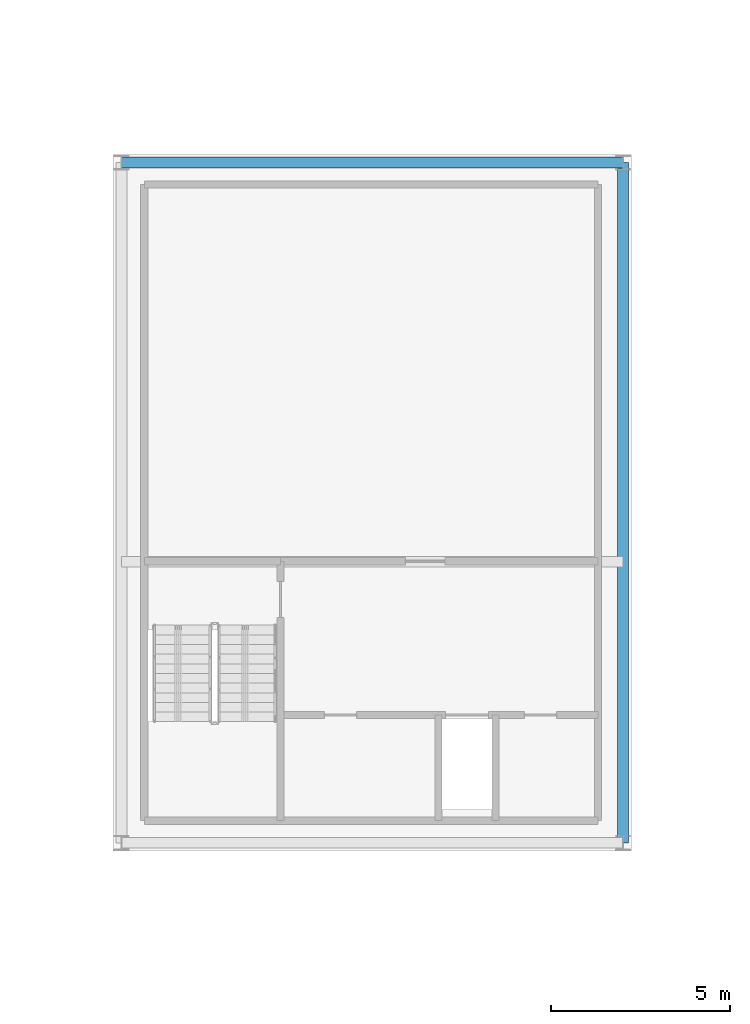
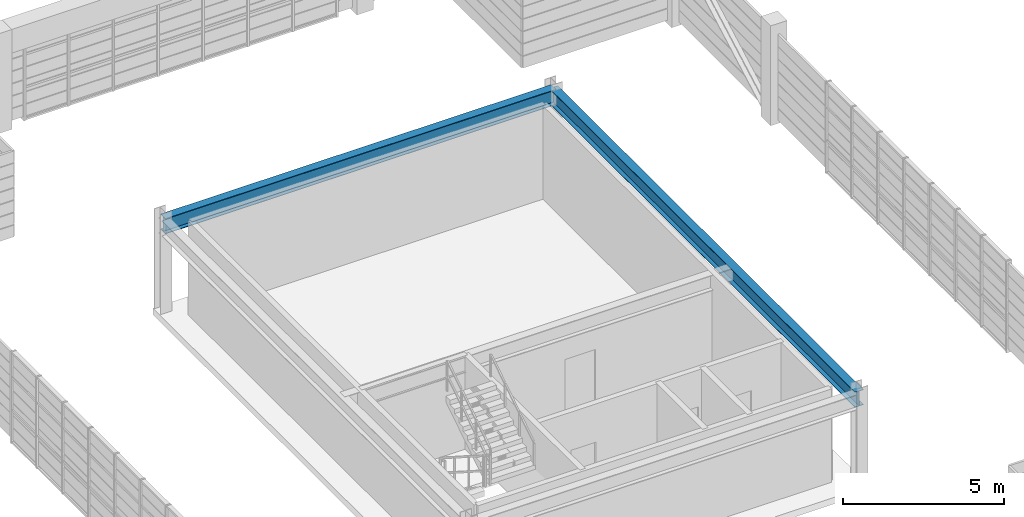
# One storey, part 10 of 21: 2 beams.
"""IFC4 building model written with IfcOpenShell, lengths in metres."""

import ifcopenshell
import ifcopenshell.guid

model = None  # the IFC model being written
_history = None  # IfcOwnerHistory: only IFC2X3 demands one
_inside = {}  # id of a spatial element -> (the spatial element, [elements in it])
_under = {}  # id of a project, library or spatial element -> (it, [spatial elements below it])
_declared = {}  # id of a project -> (the project, [libraries it declares])
_typed = {}  # id of a type object -> (the type object, [elements of that type])
_made_of = {}  # id of a material, layer set ... -> (it, [elements and type objects made of it])


def new_model(schema):
    """Start an empty IFC model of exactly this schema.

    Asked for "IFC4X3", IfcOpenShell would pick the latest addendum, in which some entities
    have other attributes; the version numbers below select the first issue.
    IFC2X3 requires an IfcOwnerHistory on every rooted entity: one is made here for all.
    """
    global model, _history
    if schema == "IFC4X3":
        model = ifcopenshell.file(schema_version=(4, 3, 0, 0))
    else:
        model = ifcopenshell.file(schema=schema)
    _inside.clear()
    _under.clear()
    _declared.clear()
    _typed.clear()
    _made_of.clear()
    _history = None
    if model.schema == "IFC2X3":
        org = make("IfcOrganization", Name="unknown")
        user = make(
            "IfcPersonAndOrganization",
            ThePerson=make("IfcPerson", FamilyName="unknown"),
            TheOrganization=org,
        )
        app = make(
            "IfcApplication",
            ApplicationDeveloper=org,
            Version="unknown",
            ApplicationFullName="unknown",
            ApplicationIdentifier="unknown",
        )
        _history = make(
            "IfcOwnerHistory",
            OwningUser=user,
            OwningApplication=app,
            ChangeAction="ADDED",
            CreationDate=0,
        )
    return model


def make(cls, **values):
    """One entity of the class cls with the attributes given. An attribute that is None is left unset."""
    return model.create_entity(
        cls, **{name: value for name, value in values.items() if value is not None}
    )


def rooted(cls, **values):
    """An entity with a GlobalId (a new one), such as an element, a storey or a relation."""
    return make(cls, GlobalId=ifcopenshell.guid.new(), OwnerHistory=_history, **values)


def si_unit(unit_type, name, prefix=None):
    """IfcSIUnit, for example si_unit("LENGTHUNIT", "METRE", prefix="MILLI")."""
    return make("IfcSIUnit", UnitType=unit_type, Prefix=prefix, Name=name)


def assignment(units):
    """IfcUnitAssignment: the units of a project."""
    return None if units is None else make("IfcUnitAssignment", Units=units)


def point(xyz):
    """IfcCartesianPoint."""
    return None if xyz is None else make("IfcCartesianPoint", Coordinates=xyz)


def direction(xyz):
    """IfcDirection."""
    return None if xyz is None else make("IfcDirection", DirectionRatios=xyz)


def frame(location, z_axis=None, x_axis=None):
    """IfcAxis2Placement3D, a coordinate frame: its origin and axes. An axis left out is left unset."""
    return make(
        "IfcAxis2Placement3D",
        Location=point(location),
        Axis=direction(z_axis),
        RefDirection=direction(x_axis),
    )


def frame_2d(location, x_axis=None):
    """IfcAxis2Placement2D, a coordinate frame in the plane: its origin and x axis."""
    return make(
        "IfcAxis2Placement2D", Location=point(location), RefDirection=direction(x_axis)
    )


def origin():
    """The frame at (0, 0, 0) with its axes left unset."""
    return frame((0.0, 0.0, 0.0))


def origin_2d():
    """The frame at (0, 0) in the plane with its x axis left unset."""
    return frame_2d((0.0, 0.0))


def place(relative_to, where):
    """IfcLocalPlacement: puts the frame where relative to a parent placement (None: the world)."""
    return make(
        "IfcLocalPlacement", PlacementRelTo=relative_to, RelativePlacement=where
    )


def context(
    kind, dimensions, precision=None, world=None, true_north=None, identifier=None
):
    """IfcGeometricRepresentationContext, for example the 3D "Model" context."""
    return make(
        "IfcGeometricRepresentationContext",
        ContextIdentifier=identifier,
        ContextType=kind,
        CoordinateSpaceDimension=dimensions,
        Precision=precision,
        WorldCoordinateSystem=world,
        TrueNorth=true_north,
    )


def subcontext(parent, identifier, kind, view, scale=None):
    """IfcGeometricRepresentationSubContext, for example "Body" below "Model"."""
    return make(
        "IfcGeometricRepresentationSubContext",
        ContextIdentifier=identifier,
        ContextType=kind,
        ParentContext=parent,
        TargetScale=scale,
        TargetView=view,
    )


def project(units=None, contexts=None):
    """IfcProject with its units and contexts."""
    return rooted(
        "IfcProject",
        Name="project",
        RepresentationContexts=contexts,
        UnitsInContext=assignment(units),
    )


def spatial(cls, under=None, at=None, **own):
    """A site, building, storey or space (cls), placed at a placement, below another one or the project."""
    s = rooted(cls, ObjectPlacement=at, **own)
    if under is not None:
        _under.setdefault(under.id(), (under, []))[1].append(s)
    return s


def profile(cls, at=None, kind="AREA", **sizes):
    """A parametric profile (cls). Its sizes go by their IFC names, for example OverallWidth=200.0."""
    return make(cls, ProfileType=kind, Position=at, **sizes)


def i_section(**sizes):
    """IfcIShapeProfileDef."""
    return profile("IfcIShapeProfileDef", **sizes)


def extrude(swept, where, along, depth):
    """IfcExtrudedAreaSolid: the profile swept, set in the frame where, extruded along a direction by depth."""
    return make(
        "IfcExtrudedAreaSolid",
        SweptArea=swept,
        Position=where,
        ExtrudedDirection=direction(along),
        Depth=depth,
    )


def shape(context_of_items, identifier, shape_type, items):
    """IfcShapeRepresentation: the items that make up one representation, for example the "Body"."""
    return make(
        "IfcShapeRepresentation",
        ContextOfItems=context_of_items,
        RepresentationIdentifier=identifier,
        RepresentationType=shape_type,
        Items=items,
    )


def source(mapping_origin, context_of_items, identifier, shape_type, items):
    """IfcRepresentationMap: a shape defined once, which mapped items show again and again."""
    return make(
        "IfcRepresentationMap",
        MappingOrigin=mapping_origin,
        MappedRepresentation=shape(context_of_items, identifier, shape_type, items),
    )


def transform(
    local_origin,
    x_axis=None,
    y_axis=None,
    z_axis=None,
    scale=None,
    scale2=None,
    scale3=None,
    uniform=True,
):
    """IfcCartesianTransformationOperator3D, or its non-uniform kind. x_axis, y_axis, z_axis: its Axis1, 2, 3."""
    if uniform:
        return make(
            "IfcCartesianTransformationOperator3D",
            Axis1=direction(x_axis),
            Axis2=direction(y_axis),
            LocalOrigin=point(local_origin),
            Scale=scale,
            Axis3=direction(z_axis),
        )
    return make(
        "IfcCartesianTransformationOperator3DnonUniform",
        Axis1=direction(x_axis),
        Axis2=direction(y_axis),
        LocalOrigin=point(local_origin),
        Scale=scale,
        Axis3=direction(z_axis),
        Scale2=scale2,
        Scale3=scale3,
    )


def mapped(mapping_source, mapping_target):
    """IfcMappedItem: shows the shape of a source again, moved by a transform."""
    return make(
        "IfcMappedItem", MappingSource=mapping_source, MappingTarget=mapping_target
    )


def material(Name=None, Category=None):
    """IfcMaterial."""
    return make("IfcMaterial", Name=Name, Category=Category)


def material_profile(
    of_material, cross_section, Name=None, Category=None, Priority=None
):
    """IfcMaterialProfile: a cross section and its material."""
    return make(
        "IfcMaterialProfile",
        Name=Name,
        Material=of_material,
        Profile=cross_section,
        Priority=Priority,
        Category=Category,
    )


def profile_set(profiles, Name=None, composite=None):
    """IfcMaterialProfileSet."""
    return make(
        "IfcMaterialProfileSet",
        Name=Name,
        MaterialProfiles=profiles,
        CompositeProfile=composite,
    )


def made_of(thing, what):
    """Note that an element or type object is made of a material, layer set ...; save() writes the relation."""
    if what is not None:
        _made_of.setdefault(what.id(), (what, []))[1].append(thing)
    return thing


def type_object(cls, material=None, **own):
    """A type object (cls), such as IfcWallType, which elements share."""
    return made_of(rooted(cls, **own), material)


def element(
    cls,
    number,
    at=None,
    inside=None,
    cuts=None,
    type_object=None,
    material=None,
    context=None,
    identifier="Body",
    shape_type=None,
    held_by="IfcProductDefinitionShape",
    body=None,
    shapes=None,
    **own,
):
    """One element of the class cls, such as IfcWall. Its Tag is "e" and its number.

    at: its placement. inside: the storey or other place that contains it. cuts: it is an
    opening in that element (IfcRelVoidsElement). A single representation is given by context,
    identifier, shape_type and body (its items); several are given by shapes. held_by: the class
    of the entity that holds the representations. save() writes the other relations.
    """
    e = rooted(cls, Tag="e%d" % number, ObjectPlacement=at, **own)
    if body is not None:
        shapes = [shape(context, identifier, shape_type, body)]
    if shapes is not None:
        e.Representation = make(held_by, Representations=shapes)
    if inside is not None:
        _inside.setdefault(inside.id(), (inside, []))[1].append(e)
    if cuts is not None:
        rooted(
            "IfcRelVoidsElement", RelatingBuildingElement=cuts, RelatedOpeningElement=e
        )
    if type_object is not None:
        _typed.setdefault(type_object.id(), (type_object, []))[1].append(e)
    return made_of(e, material)


def aggregate(whole, parts):
    """IfcRelAggregates: a whole, such as a stair, and the parts it consists of."""
    return rooted("IfcRelAggregates", RelatingObject=whole, RelatedObjects=parts)


def save(model, path):
    """Write the relations noted so far, then the file.

    IfcRelAggregates (storeys below a building ...), IfcRelContainedInSpatialStructure (elements
    in a storey), IfcRelDefinesByType, IfcRelAssociatesMaterial and IfcRelDeclares: one each for
    every whole, place, type object, material and project.
    """
    for whole, parts in _under.values():
        aggregate(whole, parts)
    for where, things in _inside.values():
        rooted(
            "IfcRelContainedInSpatialStructure",
            RelatedElements=things,
            RelatingStructure=where,
        )
    for kind, things in _typed.values():
        rooted("IfcRelDefinesByType", RelatedObjects=things, RelatingType=kind)
    for what, things in _made_of.values():
        rooted("IfcRelAssociatesMaterial", RelatedObjects=things, RelatingMaterial=what)
    for by, libraries in _declared.values():
        rooted("IfcRelDeclares", RelatingContext=by, RelatedDefinitions=libraries)
    model.write(path)


model = new_model("IFC4")

# Units and contexts
model_context = context("Model", 3, precision=1e-05, world=origin(), true_north=direction((0.0, 1.0)))
body_context = subcontext(model_context, "Body", "Model", "MODEL_VIEW")
ifc_project = project(units=[si_unit("LENGTHUNIT", "METRE"), si_unit("AREAUNIT", "SQUARE_METRE"), si_unit("VOLUMEUNIT", "CUBIC_METRE"), si_unit("PLANEANGLEUNIT", "RADIAN"), si_unit("MASSUNIT", "GRAM", prefix="KILO")], contexts=[model_context])

# Site, building, storey
site_placement = place(None, origin())
site = spatial("IfcSite", under=ifc_project, at=site_placement, CompositionType="ELEMENT")
building_placement = place(site_placement, origin())
building = spatial("IfcBuilding", under=site, at=building_placement, Name="Saelheon Loggia Tower", CompositionType="ELEMENT")
storey_placement = place(building_placement, frame((0.0, 0.0, 259.800048828125)))
storey = spatial("IfcBuildingStorey", under=building, at=storey_placement, Name="CR3", CompositionType="ELEMENT", Elevation=259.800048828125)

# Beams
ifc_material = material(Name="Steel SM355", Category="steel")
ifc_material_profile = material_profile(ifc_material, i_section(OverallWidth=0.300048828125, OverallDepth=0.587890625, WebThickness=0.011962890625, FlangeThickness=0.02001953125, at=origin_2d()), Name="H-588x300x12x20")
ifc_profile_set = profile_set([ifc_material_profile], Name="Steel SM355")
beam_type = type_object("IfcBeamType", Name="Beam_Girder_Steel_H588", PredefinedType="BEAM", material=ifc_profile_set)
shared_shape_1 = source(origin(), body_context, "Body", "SweptSolid", [
    extrude(i_section(OverallWidth=0.300048828125, OverallDepth=0.587890625, WebThickness=0.011962890625, FlangeThickness=0.02001953125, at=origin_2d()), origin(), (0.0, 0.0, 1.0), 14.0400390625),
])
beam_1_placement = place(storey_placement, frame((30.97998046875, 36.52001953125, 3.255859375), z_axis=(1.0, 0.0, 0.0), x_axis=(0.0, 1.0, 0.0)))
element("IfcBeam", 1, at=beam_1_placement, inside=storey, type_object=beam_type, Name="BM-CR3-PL-N", PredefinedType="BEAM", context=body_context, shape_type="MappedRepresentation", body=[
    mapped(shared_shape_1, transform((0.0, 0.0, 0.0), scale=1.0)),
])
shared_shape_2 = source(origin(), body_context, "Body", "SweptSolid", [
    extrude(i_section(OverallWidth=0.300048828125, OverallDepth=0.587890625, WebThickness=0.011962890625, FlangeThickness=0.02001953125, at=origin_2d()), origin(), (0.0, 0.0, 1.0), 19.0400390625),
])
beam_2_placement = place(storey_placement, frame((45.02001953125, 17.47998046875, 3.255859375), z_axis=(0.0, 1.0, 0.0), x_axis=(-1.0, 0.0, 0.0)))
element("IfcBeam", 2, at=beam_2_placement, inside=storey, type_object=beam_type, Name="BM-CR3-PL-E", PredefinedType="BEAM", context=body_context, shape_type="MappedRepresentation", body=[
    mapped(shared_shape_2, transform((0.0, 0.0, 0.0), scale=1.0)),
])

save(model, "model.ifc")
